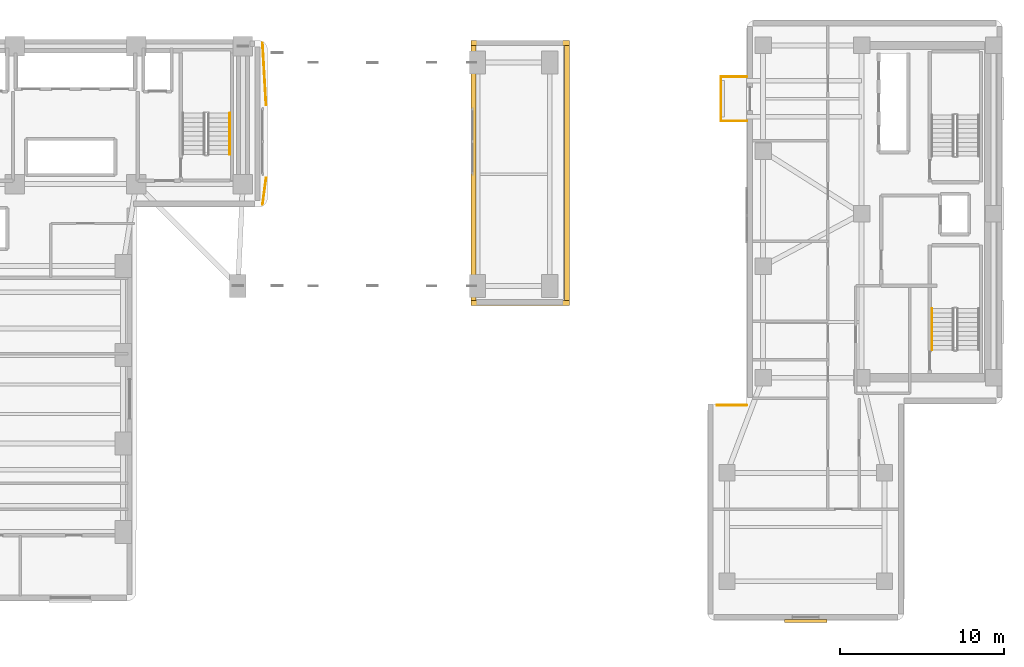
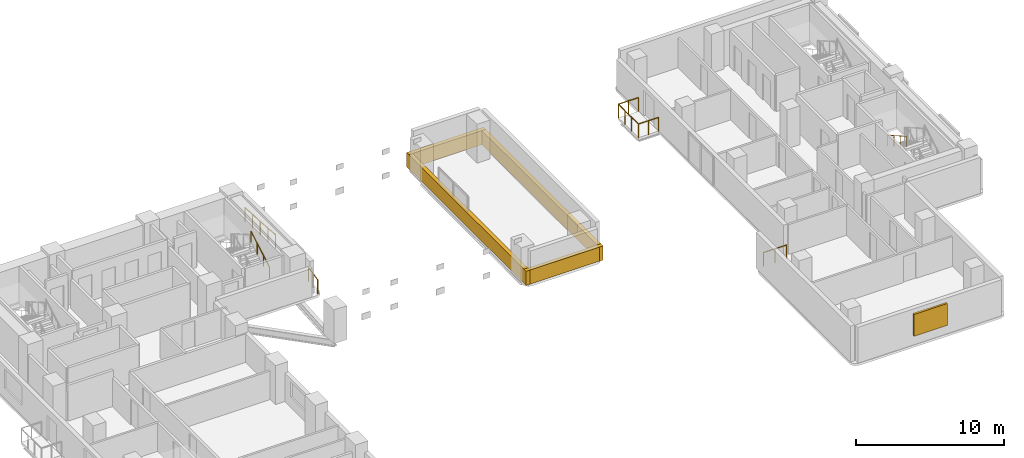
# One storey, part 13 of 14: 8 railings, 4 coverings, 1 shading device.
"""IFC4 building model written with IfcOpenShell, lengths in metres."""

from ifc_helpers import new_model, si_unit, direction, frame, origin, origin_2d, place, context, subcontext, project, spatial, rectangle, circle, extrude, material, layer, layer_set, type_object, element, save


model = new_model("IFC4")

# Units and contexts
model_context = context("Model", 3, precision=1e-05, world=origin(), true_north=direction((0.0, 1.0)))
body_context = subcontext(model_context, "Body", "Model", "MODEL_VIEW")
ifc_project = project(units=[si_unit("LENGTHUNIT", "METRE"), si_unit("AREAUNIT", "SQUARE_METRE"), si_unit("VOLUMEUNIT", "CUBIC_METRE"), si_unit("PLANEANGLEUNIT", "RADIAN"), si_unit("MASSUNIT", "GRAM", prefix="KILO")], contexts=[model_context])

# Site, building, storey
site_placement = place(None, origin())
site = spatial("IfcSite", under=ifc_project, at=site_placement, CompositionType="ELEMENT")
building_placement = place(site_placement, origin())
building = spatial("IfcBuilding", under=site, at=building_placement, Name="Kuzgunbayir Cultural Tower", CompositionType="ELEMENT")
storey_placement = place(building_placement, frame((0.0, 0.0, 36.60009765625)))
storey = spatial("IfcBuildingStorey", under=building, at=storey_placement, Name="L09", CompositionType="ELEMENT", Elevation=36.60009765625)

# Coverings
ifc_material_1 = material(Name="Anatolian Cream Limestone", Category="masonry")
ifc_layer_1 = layer(ifc_material_1, 0.06005859375)
ifc_layer_set_1 = layer_set([ifc_layer_1], Name="Anatolian Cream Limestone")
covering_type = type_object("IfcCoveringType", Name="COV-CLAD-LIMESTONE-6", PredefinedType="CLADDING", material=ifc_layer_set_1)
for number, where, z_axis, x_axis, name in (
    (1, (40.949951171875, 34.469970703125, -0.02001953125), (0.0, 0.0, 1.0), (1.0, 0.0, 0.0), "L09 Portal Cap West Coping Fascia"),
    (2, (46.64990234375, 34.469970703125, -0.02001953125), (0.0, 0.0, 1.0), (1.0, 0.0, 0.0), "L09 Portal Cap East Coping Fascia"),
):
    element("IfcCovering", number, at=place(storey_placement, frame(where, z_axis=z_axis, x_axis=x_axis)), inside=storey, type_object=covering_type, Name=name, PredefinedType="CLADDING", context=body_context, shape_type="SweptSolid", body=[
        extrude(rectangle(XDim=0.300048828125, YDim=16.14990234375, at=origin_2d()), origin(), (0.0, 0.0, 1.0), 1.159912109375),
    ])
for number, where, z_axis, x_axis, name in (
    (3, (43.800048828125, 26.550048828125, -0.02001953125), (0.0, 0.0, 1.0), (1.0, 0.0, 0.0), "L09 Portal Cap South Coping Fascia"),
    (4, (43.800048828125, 42.39990234375, -0.02001953125), (0.0, 0.0, 1.0), (1.0, 0.0, 0.0), "L09 Portal Cap North Coping Fascia"),
):
    element("IfcCovering", number, at=place(storey_placement, frame(where, z_axis=z_axis, x_axis=x_axis)), inside=storey, type_object=covering_type, Name=name, PredefinedType="CLADDING", context=body_context, shape_type="SweptSolid", body=[
        extrude(rectangle(XDim=6.0, YDim=0.300048828125, at=origin_2d()), origin(), (0.0, 0.0, 1.0), 1.159912109375),
    ])

# Railings
ifc_material_2 = material(Name="Laminated Glass and Stainless Steel", Category="steel")
ifc_layer_2 = layer(ifc_material_2, 0.080078125)
ifc_layer_set_2 = layer_set([ifc_layer_2], Name="Laminated Glass and Stainless Steel")
railing_type_1 = type_object("IfcRailingType", Name="RLG-BAL-115", PredefinedType="BALUSTRADE", material=ifc_layer_set_2)
railing_1_placement = place(storey_placement, frame((57.60009765625, 37.64990234375, 0.0)))
element("IfcRailing", 5, at=railing_1_placement, inside=storey, type_object=railing_type_1, Name="L09 Companion Balcony Guard BAL-L09-T2W3 Segment 1", PredefinedType="BALUSTRADE", context=body_context, shape_type="SweptSolid", body=[
    extrude(circle(Radius=0.02392578125, at=origin_2d()), frame((0.0, 0.0, 1.1259765625), z_axis=(-1.0, 0.0, 0.0), x_axis=(0.0, -1.0, 0.0)), (0.0, 0.0, 1.0), 1.56005859375),
    extrude(circle(Radius=0.02099609375, at=origin_2d()), origin(), (0.0, 0.0, 1.0), 1.101806640625),
    extrude(circle(Radius=0.02099609375, at=origin_2d()), frame((-0.780029296875, 0.0, 0.0)), (0.0, 0.0, 1.0), 1.101806640625),
    extrude(circle(Radius=0.02099609375, at=origin_2d()), frame((-1.56005859375, 0.0, 0.0)), (0.0, 0.0, 1.0), 1.101806640625),
])
railing_2_placement = place(storey_placement, frame((56.0400390625, 37.64990234375, 0.0)))
element("IfcRailing", 6, at=railing_2_placement, inside=storey, type_object=railing_type_1, Name="L09 Companion Balcony Guard BAL-L09-T2W3 Segment 2", PredefinedType="BALUSTRADE", context=body_context, shape_type="SweptSolid", body=[
    extrude(circle(Radius=0.02392578125, at=origin_2d()), frame((0.0, 0.0, 1.1259765625), z_axis=(0.0, 1.0, 0.0), x_axis=(-1.0, 0.0, 0.0)), (0.0, 0.0, 1.0), 2.7001953125),
    extrude(circle(Radius=0.02099609375, at=origin_2d()), origin(), (0.0, 0.0, 1.0), 1.101806640625),
    extrude(circle(Radius=0.02099609375, at=origin_2d()), frame((0.0, 0.900146484375, 0.0)), (0.0, 0.0, 1.0), 1.101806640625),
    extrude(circle(Radius=0.02099609375, at=origin_2d()), frame((0.0, 1.800048828125, 0.0)), (0.0, 0.0, 1.0), 1.101806640625),
    extrude(circle(Radius=0.02099609375, at=origin_2d()), frame((0.0, 2.7001953125, 0.0)), (0.0, 0.0, 1.0), 1.101806640625),
])
railing_3_placement = place(storey_placement, frame((56.0400390625, 40.35009765625, 0.0)))
element("IfcRailing", 7, at=railing_3_placement, inside=storey, type_object=railing_type_1, Name="L09 Companion Balcony Guard BAL-L09-T2W3 Segment 3", PredefinedType="BALUSTRADE", context=body_context, shape_type="SweptSolid", body=[
    extrude(circle(Radius=0.02392578125, at=origin_2d()), frame((0.0, 0.0, 1.1259765625), z_axis=(1.0, 0.0, 0.0), x_axis=(0.0, 1.0, 0.0)), (0.0, 0.0, 1.0), 1.56005859375),
    extrude(circle(Radius=0.02099609375, at=origin_2d()), origin(), (0.0, 0.0, 1.0), 1.101806640625),
    extrude(circle(Radius=0.02099609375, at=origin_2d()), frame((0.780029296875, 0.0, 0.0)), (0.0, 0.0, 1.0), 1.101806640625),
    extrude(circle(Radius=0.02099609375, at=origin_2d()), frame((1.56005859375, 0.0, 0.0)), (0.0, 0.0, 1.0), 1.101806640625),
])
railing_4_placement = place(storey_placement, frame((28.10009765625, 42.39990234375, 0.0)))
element("IfcRailing", 8, at=railing_4_placement, inside=storey, type_object=railing_type_1, Name="L09 Perimeter Edge Guard 1", PredefinedType="BALUSTRADE", context=body_context, shape_type="SweptSolid", body=[
    extrude(circle(Radius=0.02392578125, at=origin_2d()), frame((0.0, 0.0, 1.1259765625), z_axis=(0.058098313566, -0.998310866394, 0.0), x_axis=(0.998310866394, 0.058098313566, 0.0)), (0.0, 0.0, 1.0), 3.7861328125),
    extrude(circle(Radius=0.02099609375, at=origin_2d()), origin(), (0.0, 0.0, 1.0), 1.101806640625),
    extrude(circle(Radius=0.02099609375, at=origin_2d()), frame((0.054931640625, -0.94482421875, 0.0)), (0.0, 0.0, 1.0), 1.101806640625),
    extrude(circle(Radius=0.02099609375, at=origin_2d()), frame((0.10986328125, -1.889892578125, 0.0)), (0.0, 0.0, 1.0), 1.101806640625),
    extrude(circle(Radius=0.02099609375, at=origin_2d()), frame((0.1650390625, -2.8349609375, 0.0)), (0.0, 0.0, 1.0), 1.101806640625),
    extrude(circle(Radius=0.02099609375, at=origin_2d()), frame((0.219970703125, -3.77978515625, 0.0)), (0.0, 0.0, 1.0), 1.101806640625),
])
railing_5_placement = place(storey_placement, frame((28.320068359375, 34.179931640625, 0.0)))
element("IfcRailing", 9, at=railing_5_placement, inside=storey, type_object=railing_type_1, Name="L09 Perimeter Edge Guard 2", PredefinedType="BALUSTRADE", context=body_context, shape_type="SweptSolid", body=[
    extrude(circle(Radius=0.02392578125, at=origin_2d()), frame((0.0, 0.0, 1.1259765625), z_axis=(-0.133748471405, -0.991015310879, 0.0), x_axis=(0.991015310879, -0.133748471405, 0.0)), (0.0, 0.0, 1.0), 1.644775390625),
    extrude(circle(Radius=0.02099609375, at=origin_2d()), origin(), (0.0, 0.0, 1.0), 1.101806640625),
    extrude(circle(Radius=0.02099609375, at=origin_2d()), frame((-0.10986328125, -0.81494140625, 0.0)), (0.0, 0.0, 1.0), 1.101806640625),
    extrude(circle(Radius=0.02099609375, at=origin_2d()), frame((-0.219970703125, -1.6298828125, 0.0)), (0.0, 0.0, 1.0), 1.101806640625),
])
railing_6_placement = place(storey_placement, frame((55.7900390625, 20.320068359375, 0.0)))
element("IfcRailing", 10, at=railing_6_placement, inside=storey, type_object=railing_type_1, Name="L09 Perimeter Edge Guard 3", PredefinedType="BALUSTRADE", context=body_context, shape_type="SweptSolid", body=[
    extrude(circle(Radius=0.02392578125, at=origin_2d()), frame((0.0, 0.0, 1.1259765625), z_axis=(1.0, 0.0, 0.0), x_axis=(0.0, 1.0, 0.0)), (0.0, 0.0, 1.0), 1.81005859375),
    extrude(circle(Radius=0.02099609375, at=origin_2d()), origin(), (0.0, 0.0, 1.0), 1.101806640625),
    extrude(circle(Radius=0.02099609375, at=origin_2d()), frame((0.905029296875, 0.0, 0.0)), (0.0, 0.0, 1.0), 1.101806640625),
    extrude(circle(Radius=0.02099609375, at=origin_2d()), frame((1.81005859375, 0.0, 0.0)), (0.0, 0.0, 1.0), 1.101806640625),
])
ifc_material_3 = material(Name="Brushed Stainless Steel", Category="steel")
ifc_layer_3 = layer(ifc_material_3, 0.050048828125)
ifc_layer_set_3 = layer_set([ifc_layer_3], Name="Brushed Stainless Steel")
railing_type_2 = type_object("IfcRailingType", Name="RLG-STAIR-HANDRAIL", PredefinedType="HANDRAIL", material=ifc_layer_set_3)
railing_7_placement = place(storey_placement, frame((26.110107421875, 35.60009765625, 0.159912109375)))
element("IfcRailing", 11, at=railing_7_placement, inside=storey, type_object=railing_type_2, Name="L09 ST-2 stair handrail 1", PredefinedType="HANDRAIL", context=body_context, shape_type="SweptSolid", body=[
    extrude(circle(Radius=0.02392578125, at=origin_2d()), frame((0.0, 0.0, 0.8759765625), z_axis=(0.0, 0.868253494771, 0.496120820787), x_axis=(-1.0, 0.0, 0.0)), (0.0, 0.0, 1.0), 2.90234375),
    extrude(circle(Radius=0.02099609375, at=origin_2d()), origin(), (0.0, 0.0, 1.0), 0.851806640625),
    extrude(circle(Radius=0.02099609375, at=origin_2d()), frame((0.0, 0.840087890625, 0.47998046875)), (0.0, 0.0, 1.0), 0.851806640625),
    extrude(circle(Radius=0.02099609375, at=origin_2d()), frame((0.0, 1.679931640625, 0.9599609375)), (0.0, 0.0, 1.0), 0.851806640625),
    extrude(circle(Radius=0.02099609375, at=origin_2d()), frame((0.0, 2.52001953125, 1.43994140625)), (0.0, 0.0, 1.0), 0.851806640625),
])
railing_8_placement = place(storey_placement, frame((68.889892578125, 26.219970703125, 1.760009765625)))
element("IfcRailing", 12, at=railing_8_placement, inside=storey, type_object=railing_type_2, Name="L09 ST-3 stair handrail 2", PredefinedType="HANDRAIL", context=body_context, shape_type="SweptSolid", body=[
    extrude(circle(Radius=0.02392578125, at=origin_2d()), frame((0.0, 0.0, 0.8759765625), z_axis=(0.0, -0.868253494771, 0.496120820787), x_axis=(1.0, 0.0, 0.0)), (0.0, 0.0, 1.0), 2.90234375),
    extrude(circle(Radius=0.02099609375, at=origin_2d()), origin(), (0.0, 0.0, 1.0), 0.851806640625),
    extrude(circle(Radius=0.02099609375, at=origin_2d()), frame((0.0, -0.840087890625, 0.47998046875)), (0.0, 0.0, 1.0), 0.851806640625),
    extrude(circle(Radius=0.02099609375, at=origin_2d()), frame((0.0, -1.679931640625, 0.9599609375)), (0.0, 0.0, 1.0), 0.851806640625),
    extrude(circle(Radius=0.02099609375, at=origin_2d()), frame((0.0, -2.52001953125, 1.43994140625)), (0.0, 0.0, 1.0), 0.851806640625),
])

# Shading device
ifc_material_4 = material(Name="Warm Terracotta Ceramic Baguette", Category="masonry")
shading_device_type = type_object("IfcShadingDeviceType", Name="SHD-SOLAR-CERAMIC", PredefinedType="SHUTTER", material=ifc_material_4)
shading_device_placement = place(storey_placement, frame((61.199951171875, 7.179931640625, 0.7998046875), z_axis=(0.0, 0.0, 1.0), x_axis=(1.0, 0.0, 0.0)))
element("IfcShadingDevice", 13, at=shading_device_placement, inside=storey, type_object=shading_device_type, Name="L09 Companion Ceramic Solar Screen S1", PredefinedType="SHUTTER", context=body_context, shape_type="SweptSolid", body=[
    extrude(rectangle(XDim=2.60009765625, YDim=0.159912109375, at=origin_2d()), origin(), (0.0, 0.0, 1.0), 1.800048828125),
])

save(model, "model.ifc")
